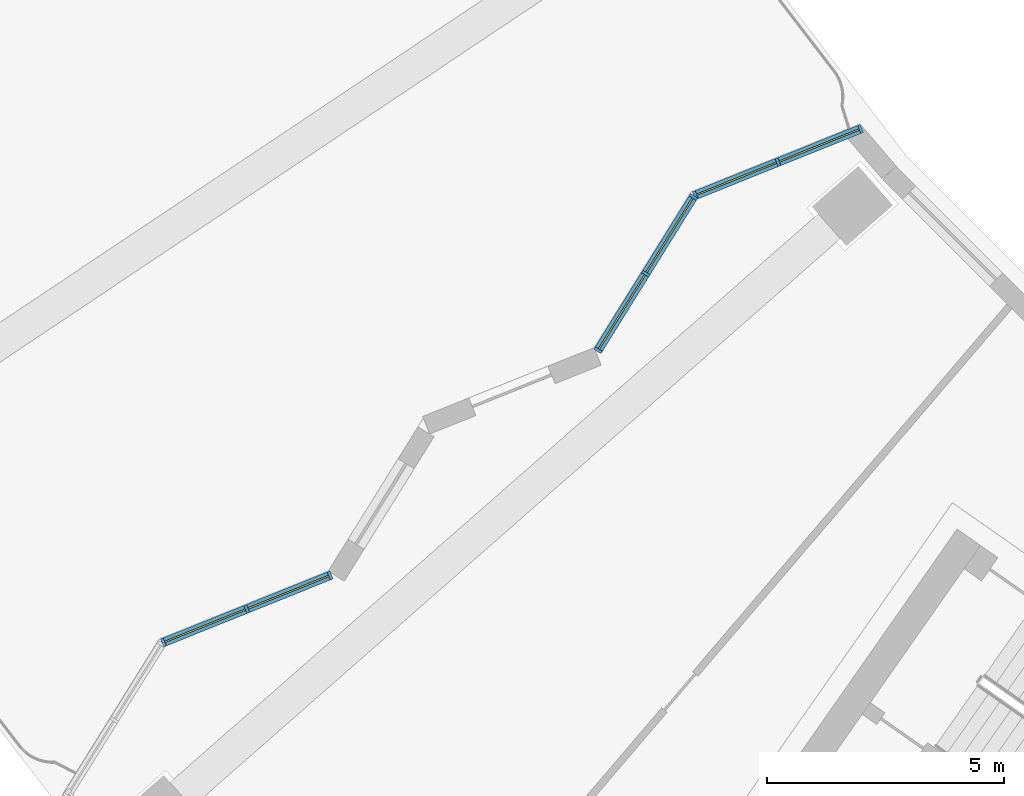
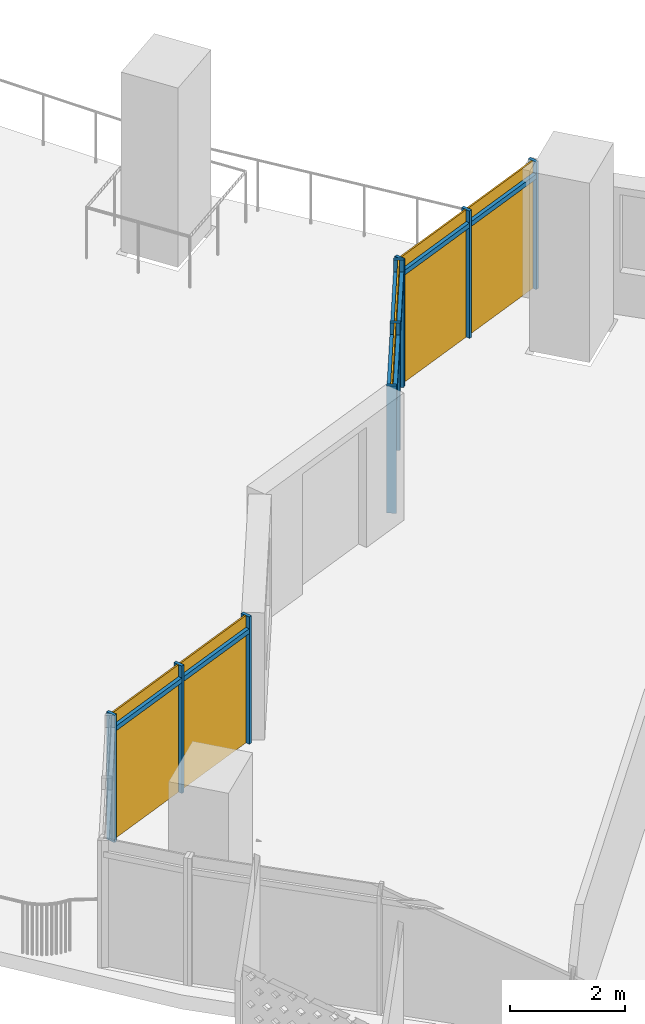
# One storey, part 18 of 31: 15 members, 3 curtain walls.
"""IFC4 building model written with IfcOpenShell, lengths in metres."""

import ifcopenshell
import ifcopenshell.guid

model = None  # the IFC model being written
_history = None  # IfcOwnerHistory: only IFC2X3 demands one
_inside = {}  # id of a spatial element -> (the spatial element, [elements in it])
_under = {}  # id of a project, library or spatial element -> (it, [spatial elements below it])
_declared = {}  # id of a project -> (the project, [libraries it declares])
_typed = {}  # id of a type object -> (the type object, [elements of that type])
_made_of = {}  # id of a material, layer set ... -> (it, [elements and type objects made of it])


def new_model(schema):
    """Start an empty IFC model of exactly this schema.

    Asked for "IFC4X3", IfcOpenShell would pick the latest addendum, in which some entities
    have other attributes; the version numbers below select the first issue.
    IFC2X3 requires an IfcOwnerHistory on every rooted entity: one is made here for all.
    """
    global model, _history
    if schema == "IFC4X3":
        model = ifcopenshell.file(schema_version=(4, 3, 0, 0))
    else:
        model = ifcopenshell.file(schema=schema)
    _inside.clear()
    _under.clear()
    _declared.clear()
    _typed.clear()
    _made_of.clear()
    _history = None
    if model.schema == "IFC2X3":
        org = make("IfcOrganization", Name="unknown")
        user = make(
            "IfcPersonAndOrganization",
            ThePerson=make("IfcPerson", FamilyName="unknown"),
            TheOrganization=org,
        )
        app = make(
            "IfcApplication",
            ApplicationDeveloper=org,
            Version="unknown",
            ApplicationFullName="unknown",
            ApplicationIdentifier="unknown",
        )
        _history = make(
            "IfcOwnerHistory",
            OwningUser=user,
            OwningApplication=app,
            ChangeAction="ADDED",
            CreationDate=0,
        )
    return model


def make(cls, **values):
    """One entity of the class cls with the attributes given. An attribute that is None is left unset."""
    return model.create_entity(
        cls, **{name: value for name, value in values.items() if value is not None}
    )


def rooted(cls, **values):
    """An entity with a GlobalId (a new one), such as an element, a storey or a relation."""
    return make(cls, GlobalId=ifcopenshell.guid.new(), OwnerHistory=_history, **values)


def si_unit(unit_type, name, prefix=None):
    """IfcSIUnit, for example si_unit("LENGTHUNIT", "METRE", prefix="MILLI")."""
    return make("IfcSIUnit", UnitType=unit_type, Prefix=prefix, Name=name)


def assignment(units):
    """IfcUnitAssignment: the units of a project."""
    return None if units is None else make("IfcUnitAssignment", Units=units)


def point(xyz):
    """IfcCartesianPoint."""
    return None if xyz is None else make("IfcCartesianPoint", Coordinates=xyz)


def direction(xyz):
    """IfcDirection."""
    return None if xyz is None else make("IfcDirection", DirectionRatios=xyz)


def frame(location, z_axis=None, x_axis=None):
    """IfcAxis2Placement3D, a coordinate frame: its origin and axes. An axis left out is left unset."""
    return make(
        "IfcAxis2Placement3D",
        Location=point(location),
        Axis=direction(z_axis),
        RefDirection=direction(x_axis),
    )


def frame_2d(location, x_axis=None):
    """IfcAxis2Placement2D, a coordinate frame in the plane: its origin and x axis."""
    return make(
        "IfcAxis2Placement2D", Location=point(location), RefDirection=direction(x_axis)
    )


def origin():
    """The frame at (0, 0, 0) with its axes left unset."""
    return frame((0.0, 0.0, 0.0))


def origin_2d():
    """The frame at (0, 0) in the plane with its x axis left unset."""
    return frame_2d((0.0, 0.0))


def place(relative_to, where):
    """IfcLocalPlacement: puts the frame where relative to a parent placement (None: the world)."""
    return make(
        "IfcLocalPlacement", PlacementRelTo=relative_to, RelativePlacement=where
    )


def context(
    kind, dimensions, precision=None, world=None, true_north=None, identifier=None
):
    """IfcGeometricRepresentationContext, for example the 3D "Model" context."""
    return make(
        "IfcGeometricRepresentationContext",
        ContextIdentifier=identifier,
        ContextType=kind,
        CoordinateSpaceDimension=dimensions,
        Precision=precision,
        WorldCoordinateSystem=world,
        TrueNorth=true_north,
    )


def subcontext(parent, identifier, kind, view, scale=None):
    """IfcGeometricRepresentationSubContext, for example "Body" below "Model"."""
    return make(
        "IfcGeometricRepresentationSubContext",
        ContextIdentifier=identifier,
        ContextType=kind,
        ParentContext=parent,
        TargetScale=scale,
        TargetView=view,
    )


def project(units=None, contexts=None):
    """IfcProject with its units and contexts."""
    return rooted(
        "IfcProject",
        Name="project",
        RepresentationContexts=contexts,
        UnitsInContext=assignment(units),
    )


def spatial(cls, under=None, at=None, **own):
    """A site, building, storey or space (cls), placed at a placement, below another one or the project."""
    s = rooted(cls, ObjectPlacement=at, **own)
    if under is not None:
        _under.setdefault(under.id(), (under, []))[1].append(s)
    return s


def profile(cls, at=None, kind="AREA", **sizes):
    """A parametric profile (cls). Its sizes go by their IFC names, for example OverallWidth=200.0."""
    return make(cls, ProfileType=kind, Position=at, **sizes)


def rectangle(**sizes):
    """IfcRectangleProfileDef."""
    return profile("IfcRectangleProfileDef", **sizes)


def extrude(swept, where, along, depth):
    """IfcExtrudedAreaSolid: the profile swept, set in the frame where, extruded along a direction by depth."""
    return make(
        "IfcExtrudedAreaSolid",
        SweptArea=swept,
        Position=where,
        ExtrudedDirection=direction(along),
        Depth=depth,
    )


def shape(context_of_items, identifier, shape_type, items):
    """IfcShapeRepresentation: the items that make up one representation, for example the "Body"."""
    return make(
        "IfcShapeRepresentation",
        ContextOfItems=context_of_items,
        RepresentationIdentifier=identifier,
        RepresentationType=shape_type,
        Items=items,
    )


def material(Name=None, Category=None):
    """IfcMaterial."""
    return make("IfcMaterial", Name=Name, Category=Category)


def material_profile(
    of_material, cross_section, Name=None, Category=None, Priority=None
):
    """IfcMaterialProfile: a cross section and its material."""
    return make(
        "IfcMaterialProfile",
        Name=Name,
        Material=of_material,
        Profile=cross_section,
        Priority=Priority,
        Category=Category,
    )


def profile_set(profiles, Name=None, composite=None):
    """IfcMaterialProfileSet."""
    return make(
        "IfcMaterialProfileSet",
        Name=Name,
        MaterialProfiles=profiles,
        CompositeProfile=composite,
    )


def made_of(thing, what):
    """Note that an element or type object is made of a material, layer set ...; save() writes the relation."""
    if what is not None:
        _made_of.setdefault(what.id(), (what, []))[1].append(thing)
    return thing


def type_object(cls, material=None, **own):
    """A type object (cls), such as IfcWallType, which elements share."""
    return made_of(rooted(cls, **own), material)


def element(
    cls,
    number,
    at=None,
    inside=None,
    cuts=None,
    type_object=None,
    material=None,
    context=None,
    identifier="Body",
    shape_type=None,
    held_by="IfcProductDefinitionShape",
    body=None,
    shapes=None,
    **own,
):
    """One element of the class cls, such as IfcWall. Its Tag is "e" and its number.

    at: its placement. inside: the storey or other place that contains it. cuts: it is an
    opening in that element (IfcRelVoidsElement). A single representation is given by context,
    identifier, shape_type and body (its items); several are given by shapes. held_by: the class
    of the entity that holds the representations. save() writes the other relations.
    """
    e = rooted(cls, Tag="e%d" % number, ObjectPlacement=at, **own)
    if body is not None:
        shapes = [shape(context, identifier, shape_type, body)]
    if shapes is not None:
        e.Representation = make(held_by, Representations=shapes)
    if inside is not None:
        _inside.setdefault(inside.id(), (inside, []))[1].append(e)
    if cuts is not None:
        rooted(
            "IfcRelVoidsElement", RelatingBuildingElement=cuts, RelatedOpeningElement=e
        )
    if type_object is not None:
        _typed.setdefault(type_object.id(), (type_object, []))[1].append(e)
    return made_of(e, material)


def aggregate(whole, parts):
    """IfcRelAggregates: a whole, such as a stair, and the parts it consists of."""
    return rooted("IfcRelAggregates", RelatingObject=whole, RelatedObjects=parts)


def save(model, path):
    """Write the relations noted so far, then the file.

    IfcRelAggregates (storeys below a building ...), IfcRelContainedInSpatialStructure (elements
    in a storey), IfcRelDefinesByType, IfcRelAssociatesMaterial and IfcRelDeclares: one each for
    every whole, place, type object, material and project.
    """
    for whole, parts in _under.values():
        aggregate(whole, parts)
    for where, things in _inside.values():
        rooted(
            "IfcRelContainedInSpatialStructure",
            RelatedElements=things,
            RelatingStructure=where,
        )
    for kind, things in _typed.values():
        rooted("IfcRelDefinesByType", RelatedObjects=things, RelatingType=kind)
    for what, things in _made_of.values():
        rooted("IfcRelAssociatesMaterial", RelatedObjects=things, RelatingMaterial=what)
    for by, libraries in _declared.values():
        rooted("IfcRelDeclares", RelatingContext=by, RelatedDefinitions=libraries)
    model.write(path)


model = new_model("IFC4")

# Units and contexts
model_context = context("Model", 3, precision=1e-05, world=origin(), true_north=direction((0.0, 1.0)))
body_context = subcontext(model_context, "Body", "Model", "MODEL_VIEW")
ifc_project = project(units=[si_unit("LENGTHUNIT", "METRE"), si_unit("AREAUNIT", "SQUARE_METRE"), si_unit("VOLUMEUNIT", "CUBIC_METRE"), si_unit("PLANEANGLEUNIT", "RADIAN"), si_unit("MASSUNIT", "GRAM", prefix="KILO")], contexts=[model_context])

# Member
ifc_material = material(Name="Aluminium 6063-T6 anodised", Category="aluminium")
ifc_material_profile_1 = material_profile(ifc_material, rectangle(XDim=0.179931640625, YDim=0.06005859375, at=origin_2d()))
ifc_profile_set_1 = profile_set([ifc_material_profile_1], Name="Aluminium 6063-T6 anodised")
member_type_1 = type_object("IfcMemberType", Name="Mullion 60 x 180 aluminium, garden", PredefinedType="MULLION", material=ifc_profile_set_1)
site_placement = place(None, origin())
building_placement = place(site_placement, origin())
storey_placement = place(building_placement, frame((0.0, 0.0, 149.300048828125)))
member_1_placement = place(storey_placement, frame((-43.623046875, -36.781005859375, 0.0), z_axis=(0.0, 0.0, 1.0), x_axis=(0.372571018998, -0.928003683076, 0.0)))
member_1 = element("IfcMember", 1, at=member_1_placement, type_object=member_type_1, Name="e-cw4-L34-capW0/M00", PredefinedType="MULLION", context=body_context, shape_type="SweptSolid", body=[
    extrude(rectangle(XDim=0.179931640625, YDim=0.06005859375, at=origin_2d()), origin(), (0.0, 0.0, 1.0), 2.699951171875),
])

member_2_placement = place(storey_placement, frame((-45.364990234375, -37.480224609375, 0.0), z_axis=(0.0, 0.0, 1.0), x_axis=(0.372571018998, -0.928003683076, 0.0)))
member_2 = element("IfcMember", 2, at=member_2_placement, type_object=member_type_1, Name="e-cw4-L34-capW0/M01", PredefinedType="MULLION", context=body_context, shape_type="SweptSolid", body=[
    extrude(rectangle(XDim=0.179931640625, YDim=0.06005859375, at=origin_2d()), origin(), (0.0, 0.0, 1.0), 2.699951171875),
])

member_3_placement = place(storey_placement, frame((-47.10693359375, -38.1796875, 0.0), z_axis=(0.0, 0.0, 1.0), x_axis=(0.372571018998, -0.928003683076, 0.0)))
member_3 = element("IfcMember", 3, at=member_3_placement, type_object=member_type_1, Name="e-cw4-L34-capW0/M02", PredefinedType="MULLION", context=body_context, shape_type="SweptSolid", body=[
    extrude(rectangle(XDim=0.179931640625, YDim=0.06005859375, at=origin_2d()), origin(), (0.0, 0.0, 1.0), 2.699951171875),
])

member_4_placement = place(storey_placement, frame((-47.150634765625, -38.21630859375, 0.0), z_axis=(0.0, 0.0, 1.0), x_axis=(0.849120129793, -0.528199777716, 0.0)))
member_4 = element("IfcMember", 4, at=member_4_placement, type_object=member_type_1, Name="e-cw4-L34-capW1/M00", PredefinedType="MULLION", context=body_context, shape_type="SweptSolid", body=[
    extrude(rectangle(XDim=0.179931640625, YDim=0.06005859375, at=origin_2d()), origin(), (0.0, 0.0, 1.0), 2.699951171875),
])

member_5_placement = place(storey_placement, frame((-48.156494140625, -39.83349609375, 0.0), z_axis=(0.0, 0.0, 1.0), x_axis=(0.849120129793, -0.528199777716, 0.0)))
member_5 = element("IfcMember", 5, at=member_5_placement, type_object=member_type_1, Name="e-cw4-L34-capW1/M01", PredefinedType="MULLION", context=body_context, shape_type="SweptSolid", body=[
    extrude(rectangle(XDim=0.179931640625, YDim=0.06005859375, at=origin_2d()), origin(), (0.0, 0.0, 1.0), 2.699951171875),
])

member_6_placement = place(storey_placement, frame((-49.16259765625, -41.45068359375, 0.0), z_axis=(0.0, 0.0, 1.0), x_axis=(0.849120129793, -0.528199777716, 0.0)))
member_6 = element("IfcMember", 6, at=member_6_placement, type_object=member_type_1, Name="e-cw4-L34-capW1/M02", PredefinedType="MULLION", context=body_context, shape_type="SweptSolid", body=[
    extrude(rectangle(XDim=0.179931640625, YDim=0.06005859375, at=origin_2d()), origin(), (0.0, 0.0, 1.0), 2.699951171875),
])

member_7_placement = place(storey_placement, frame((-54.81982421875, -46.2060546875, 0.0), z_axis=(0.0, 0.0, 1.0), x_axis=(0.372738477327, -0.927936435064, 0.0)))
member_7 = element("IfcMember", 7, at=member_7_placement, type_object=member_type_1, Name="e-cw4-L34-capW4/M00", PredefinedType="MULLION", context=body_context, shape_type="SweptSolid", body=[
    extrude(rectangle(XDim=0.179931640625, YDim=0.06005859375, at=origin_2d()), origin(), (0.0, 0.0, 1.0), 2.699951171875),
])

member_8_placement = place(storey_placement, frame((-56.577880859375, -46.912353515625, 0.0), z_axis=(0.0, 0.0, 1.0), x_axis=(0.372738477327, -0.927936435064, 0.0)))
member_8 = element("IfcMember", 8, at=member_8_placement, type_object=member_type_1, Name="e-cw4-L34-capW4/M01", PredefinedType="MULLION", context=body_context, shape_type="SweptSolid", body=[
    extrude(rectangle(XDim=0.179931640625, YDim=0.06005859375, at=origin_2d()), origin(), (0.0, 0.0, 1.0), 2.699951171875),
])

member_9_placement = place(storey_placement, frame((-58.335693359375, -47.618408203125, 0.0), z_axis=(0.0, 0.0, 1.0), x_axis=(0.372738477327, -0.927936435064, 0.0)))
member_9 = element("IfcMember", 9, at=member_9_placement, type_object=member_type_1, Name="e-cw4-L34-capW4/M02", PredefinedType="MULLION", context=body_context, shape_type="SweptSolid", body=[
    extrude(rectangle(XDim=0.179931640625, YDim=0.06005859375, at=origin_2d()), origin(), (0.0, 0.0, 1.0), 2.699951171875),
])

ifc_material_profile_2 = material_profile(ifc_material, rectangle(XDim=0.179931640625, YDim=0.10009765625, at=origin_2d()))
ifc_profile_set_2 = profile_set([ifc_material_profile_2], Name="Aluminium 6063-T6 anodised")
member_type_2 = type_object("IfcMemberType", Name="Transom 100 x 180 aluminium, garden", PredefinedType="USERDEFINED", material=ifc_profile_set_2)
member_10_placement = place(storey_placement, frame((-43.65087890625, -36.792236328125, 2.39990234375), z_axis=(-0.92804982221, -0.372456074586, 0.0), x_axis=(0.372456074586, -0.92804982221, 0.0)))
member_10 = element("IfcMember", 10, at=member_10_placement, type_object=member_type_2, Name="e-cw4-L34-capW0/T00", ObjectType="TRANSOM", PredefinedType="USERDEFINED", context=body_context, shape_type="SweptSolid", body=[
    extrude(rectangle(XDim=0.179931640625, YDim=0.10009765625, at=origin_2d()), origin(), (0.0, 0.0, 1.0), 1.81689453125),
])

member_11_placement = place(storey_placement, frame((-45.392822265625, -37.491455078125, 2.39990234375), z_axis=(-0.928003373473, -0.372571790161, 0.0), x_axis=(0.372571790161, -0.928003373473, 0.0)))
member_11 = element("IfcMember", 11, at=member_11_placement, type_object=member_type_2, Name="e-cw4-L34-capW0/T01", ObjectType="TRANSOM", PredefinedType="USERDEFINED", context=body_context, shape_type="SweptSolid", body=[
    extrude(rectangle(XDim=0.179931640625, YDim=0.10009765625, at=origin_2d()), origin(), (0.0, 0.0, 1.0), 1.817138671875),
])

member_12_placement = place(storey_placement, frame((-47.16650390625, -38.24169921875, 2.39990234375), z_axis=(-0.528094080679, -0.849185870085, 0.0), x_axis=(0.849185870085, -0.528094080679, 0.0)))
member_12 = element("IfcMember", 12, at=member_12_placement, type_object=member_type_2, Name="e-cw4-L34-capW1/T00", ObjectType="TRANSOM", PredefinedType="USERDEFINED", context=body_context, shape_type="SweptSolid", body=[
    extrude(rectangle(XDim=0.179931640625, YDim=0.10009765625, at=origin_2d()), origin(), (0.0, 0.0, 1.0), 1.844482421875),
])

member_13_placement = place(storey_placement, frame((-48.17236328125, -39.85888671875, 2.39990234375), z_axis=(-0.528189513638, -0.849126514533, 0.0), x_axis=(0.849126514533, -0.528189513638, 0.0)))
member_13 = element("IfcMember", 13, at=member_13_placement, type_object=member_type_2, Name="e-cw4-L34-capW1/T01", ObjectType="TRANSOM", PredefinedType="USERDEFINED", context=body_context, shape_type="SweptSolid", body=[
    extrude(rectangle(XDim=0.179931640625, YDim=0.10009765625, at=origin_2d()), origin(), (0.0, 0.0, 1.0), 1.8447265625),
])

member_14_placement = place(storey_placement, frame((-54.84765625, -46.21728515625, 2.39990234375), z_axis=(-0.927934225156, -0.37274397887, 0.0), x_axis=(0.37274397887, -0.927934225156, 0.0)))
member_14 = element("IfcMember", 14, at=member_14_placement, type_object=member_type_2, Name="e-cw4-L34-capW4/T00", ObjectType="TRANSOM", PredefinedType="USERDEFINED", context=body_context, shape_type="SweptSolid", body=[
    extrude(rectangle(XDim=0.179931640625, YDim=0.10009765625, at=origin_2d()), origin(), (0.0, 0.0, 1.0), 1.834716796875),
])

member_15_placement = place(storey_placement, frame((-56.605712890625, -46.92333984375, 2.39990234375), z_axis=(-0.927915732502, -0.372790012441, 0.0), x_axis=(0.372790012441, -0.927915732502, 0.0)))
member_15 = element("IfcMember", 15, at=member_15_placement, type_object=member_type_2, Name="e-cw4-L34-capW4/T01", ObjectType="TRANSOM", PredefinedType="USERDEFINED", context=body_context, shape_type="SweptSolid", body=[
    extrude(rectangle(XDim=0.179931640625, YDim=0.10009765625, at=origin_2d()), origin(), (0.0, 0.0, 1.0), 1.83447265625),
])

# Site, building, storey
site = spatial("IfcSite", under=ifc_project, at=site_placement, CompositionType="ELEMENT")
building = spatial("IfcBuilding", under=site, at=building_placement, Name="Qamariyya Broadcast Tower", CompositionType="ELEMENT")
storey = spatial("IfcBuildingStorey", under=building, at=storey_placement, Name="L34", CompositionType="ELEMENT", Elevation=149.300048828125)

# Curtain wall
curtain_wall_type = type_object("IfcCurtainWallType", Name="Sky garden enclosure curtain wall", PredefinedType="NOTDEFINED", material=ifc_material)
curtain_wall_1_placement = place(storey_placement, origin())
curtain_wall_1 = element("IfcCurtainWall", 16, at=curtain_wall_1_placement, inside=storey, type_object=curtain_wall_type, Name="e-cw4-L34-capW0", PredefinedType="NOTDEFINED", context=body_context, shape_type="SweptSolid", body=[
    extrude(rectangle(XDim=1.817138671875, YDim=0.031982421875, at=origin_2d()), frame((-44.494140625, -37.130615234375, 0.0), x_axis=(-0.928016875307, -0.372538157973, 0.0)), (0.0, 0.0, 1.0), 2.35009765625),
    extrude(rectangle(XDim=1.817138671875, YDim=0.031982421875, at=origin_2d()), frame((-44.494140625, -37.130615234375, 2.449951171875), x_axis=(-0.928016875307, -0.372538157973, 0.0)), (0.0, 0.0, 1.0), 0.25),
    extrude(rectangle(XDim=1.817138671875, YDim=0.031982421875, at=origin_2d()), frame((-46.23583984375, -37.829833984375, 0.0), x_axis=(-0.928016875307, -0.372538157973, 0.0)), (0.0, 0.0, 1.0), 2.35009765625),
    extrude(rectangle(XDim=1.817138671875, YDim=0.031982421875, at=origin_2d()), frame((-46.23583984375, -37.829833984375, 2.449951171875), x_axis=(-0.928016875307, -0.372538157973, 0.0)), (0.0, 0.0, 1.0), 0.25),
])

aggregate(curtain_wall_1, [member_1, member_2, member_3, member_10, member_11])

curtain_wall_2_placement = place(storey_placement, origin())
curtain_wall_2 = element("IfcCurtainWall", 17, at=curtain_wall_2_placement, inside=storey, type_object=curtain_wall_type, Name="e-cw4-L34-capW1", PredefinedType="NOTDEFINED", context=body_context, shape_type="SweptSolid", body=[
    extrude(rectangle(XDim=1.8447265625, YDim=0.031982421875, at=origin_2d()), frame((-47.653564453125, -39.02490234375, 0.0), x_axis=(-0.528171489418, -0.849137726029, 0.0)), (0.0, 0.0, 1.0), 2.35009765625),
    extrude(rectangle(XDim=1.8447265625, YDim=0.031982421875, at=origin_2d()), frame((-47.653564453125, -39.02490234375, 2.449951171875), x_axis=(-0.528171489418, -0.849137726029, 0.0)), (0.0, 0.0, 1.0), 0.25),
    extrude(rectangle(XDim=1.8447265625, YDim=0.031982421875, at=origin_2d()), frame((-48.65966796875, -40.64208984375, 0.0), x_axis=(-0.528171489418, -0.849137726029, 0.0)), (0.0, 0.0, 1.0), 2.35009765625),
    extrude(rectangle(XDim=1.8447265625, YDim=0.031982421875, at=origin_2d()), frame((-48.65966796875, -40.64208984375, 2.449951171875), x_axis=(-0.528171489418, -0.849137726029, 0.0)), (0.0, 0.0, 1.0), 0.25),
])

aggregate(curtain_wall_2, [member_4, member_5, member_6, member_12, member_13])

curtain_wall_3_placement = place(storey_placement, origin())
curtain_wall_3 = element("IfcCurtainWall", 18, at=curtain_wall_3_placement, inside=storey, type_object=curtain_wall_type, Name="e-cw4-L34-capW4", PredefinedType="NOTDEFINED", context=body_context, shape_type="SweptSolid", body=[
    extrude(rectangle(XDim=1.83447265625, YDim=0.031982421875, at=origin_2d()), frame((-55.69873046875, -46.55908203125, 0.0), x_axis=(-0.92792009118, -0.372779163023, 0.0)), (0.0, 0.0, 1.0), 2.35009765625),
    extrude(rectangle(XDim=1.83447265625, YDim=0.031982421875, at=origin_2d()), frame((-55.69873046875, -46.55908203125, 2.449951171875), x_axis=(-0.92792009118, -0.372779163023, 0.0)), (0.0, 0.0, 1.0), 0.25),
    extrude(rectangle(XDim=1.83447265625, YDim=0.031982421875, at=origin_2d()), frame((-57.456787109375, -47.265380859375, 0.0), x_axis=(-0.92792009118, -0.372779163023, 0.0)), (0.0, 0.0, 1.0), 2.35009765625),
    extrude(rectangle(XDim=1.83447265625, YDim=0.031982421875, at=origin_2d()), frame((-57.456787109375, -47.265380859375, 2.449951171875), x_axis=(-0.92792009118, -0.372779163023, 0.0)), (0.0, 0.0, 1.0), 0.25),
])

aggregate(curtain_wall_3, [member_7, member_8, member_9, member_14, member_15])

save(model, "model.ifc")
